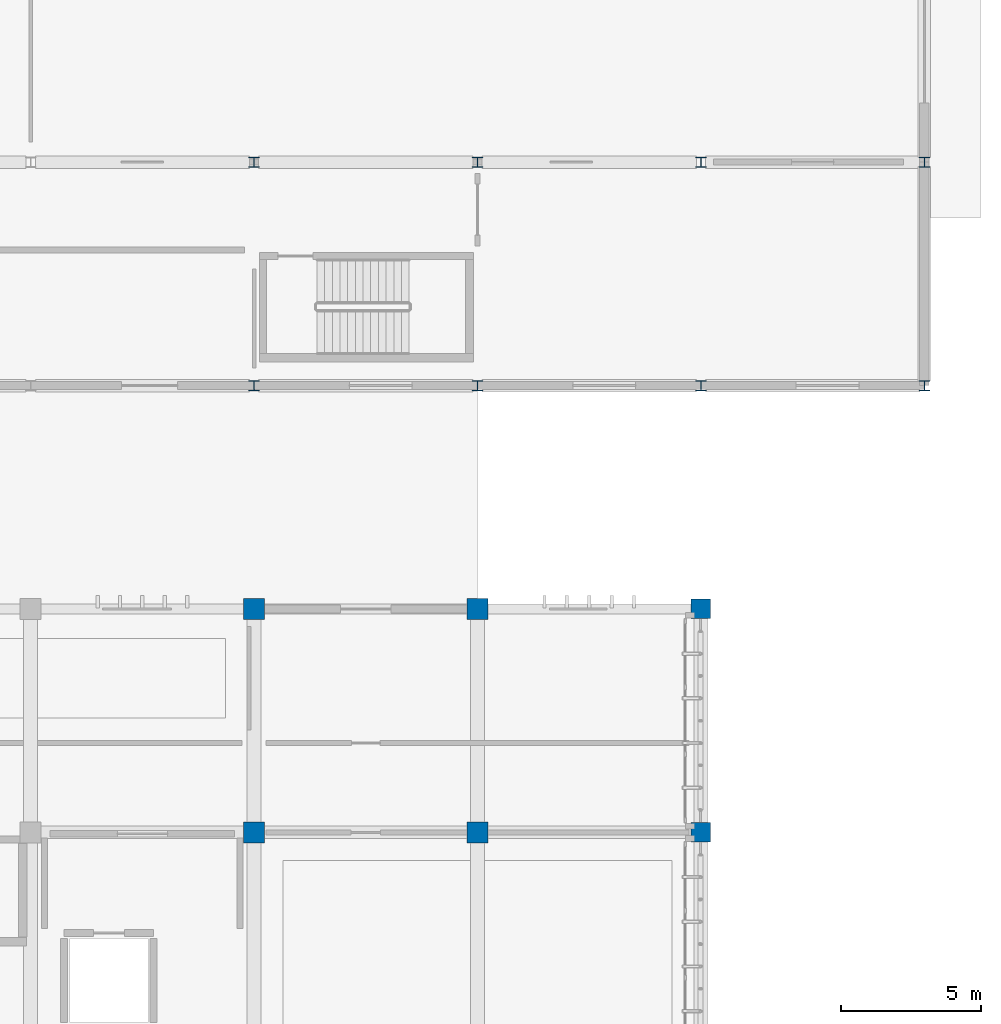
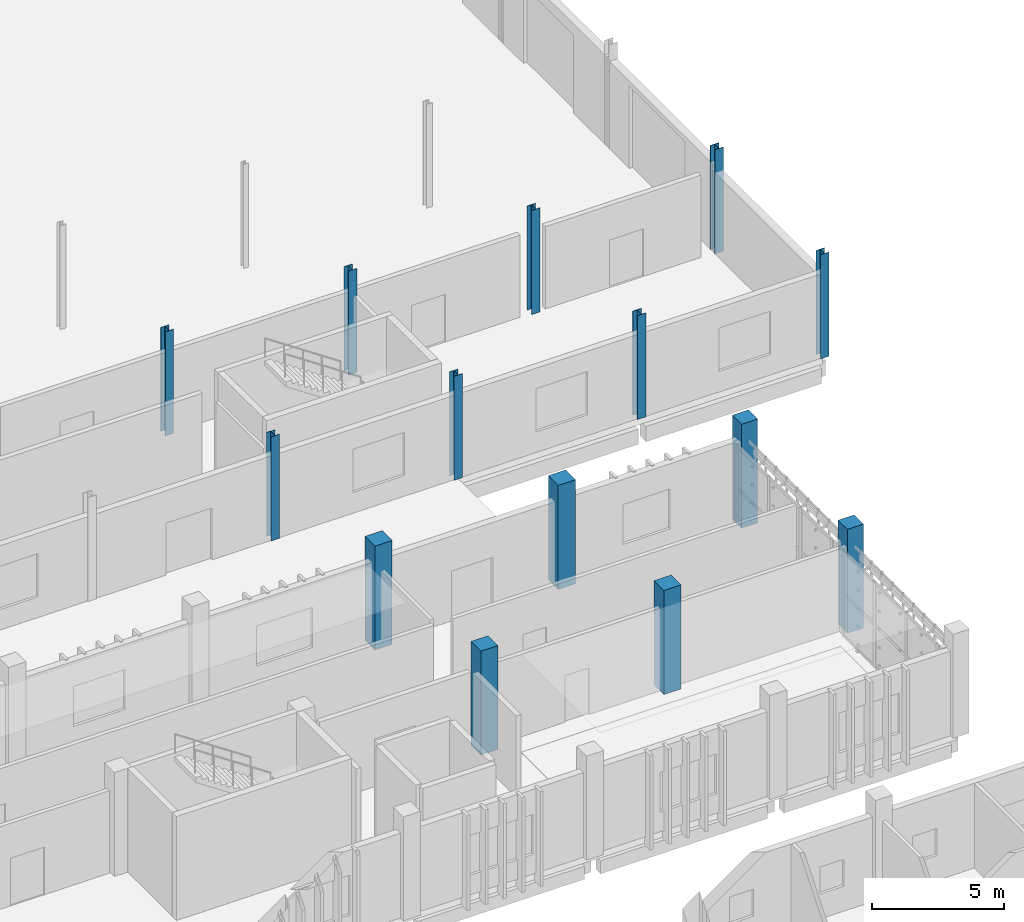
# One storey, part 17 of 117: 14 columns.
"""IFC4 building model written with IfcOpenShell, lengths in metres."""

from ifc_helpers import new_model, si_unit, direction, frame, origin, origin_2d, place, context, subcontext, project, spatial, rectangle, i_section, extrude, material, material_profile, profile_set, type_object, element, save


model = new_model("IFC4")

# Units and contexts
model_context = context("Model", 3, precision=1e-05, world=origin(), true_north=direction((0.0, 1.0)))
body_context = subcontext(model_context, "Body", "Model", "MODEL_VIEW")
ifc_project = project(units=[si_unit("LENGTHUNIT", "METRE"), si_unit("AREAUNIT", "SQUARE_METRE"), si_unit("VOLUMEUNIT", "CUBIC_METRE"), si_unit("PLANEANGLEUNIT", "RADIAN"), si_unit("MASSUNIT", "GRAM", prefix="KILO")], contexts=[model_context])

# Site, building, storey
site_placement = place(None, origin())
site = spatial("IfcSite", under=ifc_project, at=site_placement, CompositionType="ELEMENT")
building_placement = place(site_placement, origin())
building = spatial("IfcBuilding", under=site, at=building_placement, Name="Jelvoka-Kovrelna Polytechnic", CompositionType="ELEMENT")
storey_placement = place(building_placement, origin())
storey = spatial("IfcBuildingStorey", under=building, at=storey_placement, Name="L01", CompositionType="ELEMENT", Elevation=0.0)

# Columns
ifc_material_1 = material(Name="Concrete C40/50", Category="concrete")
ifc_material_profile_1 = material_profile(ifc_material_1, rectangle(XDim=0.699951171875, YDim=0.699951171875, at=origin_2d()), Name="RC 700x700")
ifc_profile_set_1 = profile_set([ifc_material_profile_1], Name="Concrete C40/50")
column_type_1 = type_object("IfcColumnType", Name="Col_RC_700", PredefinedType="COLUMN", material=ifc_profile_set_1)
for number, where, z_axis, x_axis, name in (
    (1, (192.0, 64.0, 0.0), (0.0, 0.0, 1.0), (1.0, 0.0, 0.0), "L01 column 1295"),
    (2, (192.0, 72.0, 0.0), (0.0, 0.0, 1.0), (1.0, 0.0, 0.0), "L01 column 1456"),
):
    element("IfcColumn", number, at=place(storey_placement, frame(where, z_axis=z_axis, x_axis=x_axis)), inside=storey, type_object=column_type_1, Name=name, PredefinedType="COLUMN", context=body_context, shape_type="SweptSolid", body=[
        extrude(rectangle(XDim=0.699951171875, YDim=0.699951171875, at=origin_2d()), origin(), (0.0, 0.0, 1.0), 4.800048828125),
    ])
ifc_material_2 = material(Name="Concrete C40/50", Category="concrete")
ifc_material_profile_2 = material_profile(ifc_material_2, rectangle(XDim=0.75, YDim=0.75, at=origin_2d()), Name="RC 750x750")
ifc_profile_set_2 = profile_set([ifc_material_profile_2], Name="Concrete C40/50")
column_type_2 = type_object("IfcColumnType", Name="Col_RC_750", PredefinedType="COLUMN", material=ifc_profile_set_2)
for number, where, z_axis, x_axis, name in (
    (3, (176.0, 64.0, 0.0), (0.0, 0.0, 1.0), (1.0, 0.0, 0.0), "L01 column 1277"),
    (4, (184.0, 64.0, 0.0), (0.0, 0.0, 1.0), (1.0, 0.0, 0.0), "L01 column 1286"),
    (5, (176.0, 72.0, 0.0), (0.0, 0.0, 1.0), (1.0, 0.0, 0.0), "L01 column 1438"),
    (6, (184.0, 72.0, 0.0), (0.0, 0.0, 1.0), (1.0, 0.0, 0.0), "L01 column 1447"),
):
    element("IfcColumn", number, at=place(storey_placement, frame(where, z_axis=z_axis, x_axis=x_axis)), inside=storey, type_object=column_type_2, Name=name, PredefinedType="COLUMN", context=body_context, shape_type="SweptSolid", body=[
        extrude(rectangle(XDim=0.75, YDim=0.75, at=origin_2d()), origin(), (0.0, 0.0, 1.0), 4.800048828125),
    ])
ifc_material_3 = material(Name="Structural steel S355JR", Category="steel")
ifc_material_profile_3 = material_profile(ifc_material_3, i_section(OverallWidth=0.36865234375, OverallDepth=0.355712890625, WebThickness=0.010498046875, FlangeThickness=0.017578125, FilletRadius=0.01513671875, at=origin_2d()), Name="356x368x129 UC")
ifc_profile_set_3 = profile_set([ifc_material_profile_3], Name="Structural steel S355JR")
column_type_3 = type_object("IfcColumnType", Name="Col_Steel_UC356", PredefinedType="COLUMN", material=ifc_profile_set_3)
for number, where, z_axis, x_axis, name in (
    (7, (176.0, 80.0, 0.0), (0.0, 0.0, 1.0), (1.0, 0.0, 0.0), "L01 column 1510"),
    (8, (184.0, 80.0, 0.0), (0.0, 0.0, 1.0), (1.0, 0.0, 0.0), "L01 column 1513"),
    (9, (192.0, 80.0, 0.0), (0.0, 0.0, 1.0), (1.0, 0.0, 0.0), "L01 column 1516"),
    (10, (200.0, 80.0, 0.0), (0.0, 0.0, 1.0), (1.0, 0.0, 0.0), "L01 column 1519"),
    (11, (176.0, 88.0, 0.0), (0.0, 0.0, 1.0), (1.0, 0.0, 0.0), "L01 column 1565"),
    (12, (184.0, 88.0, 0.0), (0.0, 0.0, 1.0), (1.0, 0.0, 0.0), "L01 column 1568"),
    (13, (192.0, 88.0, 0.0), (0.0, 0.0, 1.0), (1.0, 0.0, 0.0), "L01 column 1571"),
    (14, (200.0, 88.0, 0.0), (0.0, 0.0, 1.0), (1.0, 0.0, 0.0), "L01 column 1574"),
):
    element("IfcColumn", number, at=place(storey_placement, frame(where, z_axis=z_axis, x_axis=x_axis)), inside=storey, type_object=column_type_3, Name=name, PredefinedType="COLUMN", context=body_context, shape_type="SweptSolid", body=[
        extrude(i_section(OverallWidth=0.36865234375, OverallDepth=0.355712890625, WebThickness=0.010498046875, FlangeThickness=0.017578125, FilletRadius=0.01513671875, at=origin_2d()), origin(), (0.0, 0.0, 1.0), 4.800048828125),
    ])

save(model, "model.ifc")
